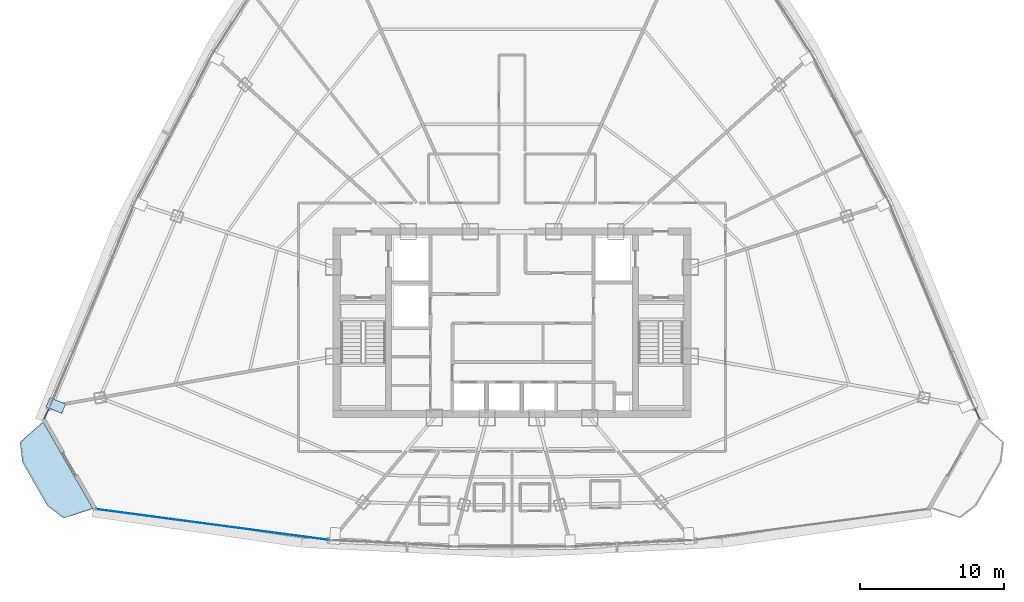
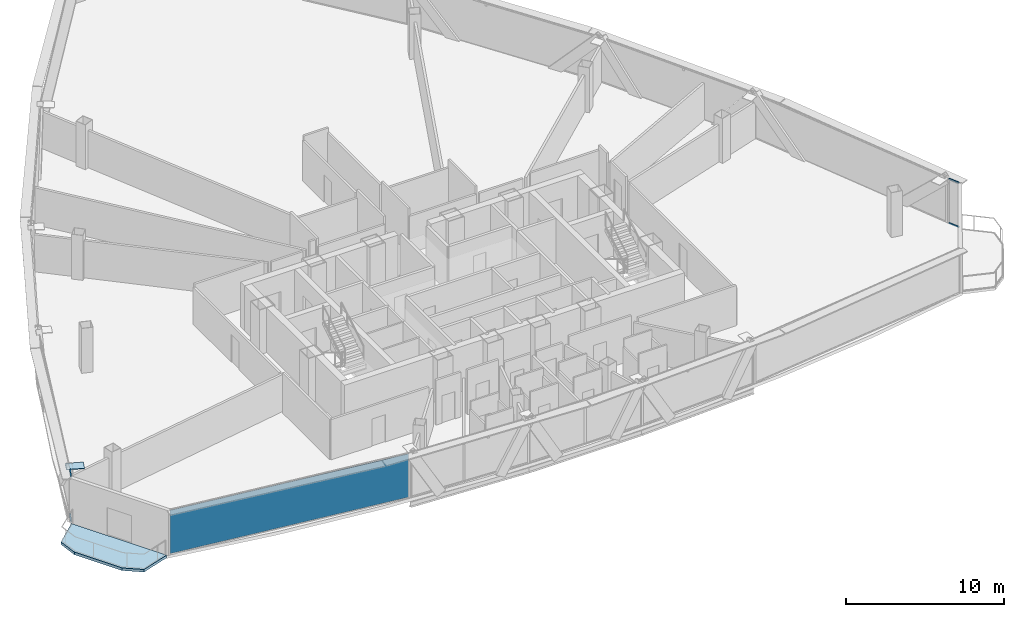
# One storey, part 29 of 39: 4 members, 2 plates, 1 slab, 3 elements without a shape of their own.
"""IFC4 building model written with IfcOpenShell, lengths in metres."""

from ifc_helpers import new_model, si_unit, direction, frame, origin, origin_2d, place, context, subcontext, project, spatial, polyline, rectangle, hollow_rectangle, outline, extrude, source, transform, mapped, material, layer, layer_set, material_profile, profile_set, type_object, element, aggregate, save


model = new_model("IFC4")

# Units and contexts
model_context = context("Model", 3, precision=1e-05, world=origin(), true_north=direction((0.0, 1.0)))
body_context = subcontext(model_context, "Body", "Model", "MODEL_VIEW")
ifc_project = project(units=[si_unit("LENGTHUNIT", "METRE"), si_unit("AREAUNIT", "SQUARE_METRE"), si_unit("VOLUMEUNIT", "CUBIC_METRE"), si_unit("PLANEANGLEUNIT", "RADIAN"), si_unit("MASSUNIT", "GRAM", prefix="KILO"), si_unit("THERMODYNAMICTEMPERATUREUNIT", "KELVIN"), si_unit("POWERUNIT", "WATT")], contexts=[model_context])

# Site, building, storey
site_placement = place(None, origin())
site = spatial("IfcSite", under=ifc_project, at=site_placement, CompositionType="ELEMENT")
building_placement = place(site_placement, origin())
building = spatial("IfcBuilding", under=site, at=building_placement, Name="Yunzhuo Pagoda Commons", CompositionType="ELEMENT")
storey_placement = place(building_placement, frame((0.0, 0.0, 285.02001953125)))
storey = spatial("IfcBuildingStorey", under=building, at=storey_placement, Name="L71", CompositionType="ELEMENT", Elevation=285.02001953125)

# Curtain wall, members
ifc_material_1 = material(Name="Anodized aluminium 6063-T6", Category="aluminium")
ifc_layer_1 = layer(ifc_material_1, 0.139892578125)
ifc_layer_set_1 = layer_set([ifc_layer_1], Name="Anodized aluminium 6063-T6")
curtain_wall_type = type_object("IfcCurtainWallType", Name="CW-HI High-Zone Ribbon Curtain Wall", PredefinedType="NOTDEFINED", material=ifc_layer_set_1)
curtain_wall_1_placement = place(storey_placement, origin())
curtain_wall_1 = element("IfcCurtainWall", 1, at=curtain_wall_1_placement, inside=storey, type_object=curtain_wall_type, Name="L71 curtain wall CW-L71-F2B1", PredefinedType="NOTDEFINED")
ifc_material_profile = material_profile(ifc_material_1, hollow_rectangle(XDim=0.054931640625, YDim=0.1201171875, WallThickness=0.00341796875, at=origin_2d()), Name="Anodized aluminium 6063-T6")
ifc_profile_set = profile_set([ifc_material_profile], Name="Anodized aluminium 6063-T6")
member_type = type_object("IfcMemberType", Name="CW-HI-T Transom RHS 120x55x3.5", PredefinedType="USERDEFINED", material=ifc_profile_set)
shared_shape_1 = source(origin(), body_context, "Body", "SweptSolid", [
    extrude(hollow_rectangle(XDim=0.054931640625, YDim=0.1201171875, WallThickness=0.00341796875, at=origin_2d()), origin(), (0.0, 0.0, 1.0), 0.802490234375),
])
member_1_placement = place(storey_placement, frame((80.54541015625, 27.180908203125, 0.027587890625), z_axis=(-0.421602795033, 0.906780614714, 0.0), x_axis=(-0.906780614714, -0.421602795033, 0.0)))
member_1 = element("IfcMember", 2, at=member_1_placement, type_object=member_type, Name="CW transom 1.1", ObjectType="TRANSOM", PredefinedType="USERDEFINED", context=body_context, shape_type="MappedRepresentation", body=[
    mapped(shared_shape_1, transform((0.0, 0.0, 0.0), scale=1.0)),
])
member_2_placement = place(storey_placement, frame((80.54541015625, 27.180908203125, 3.4423828125), z_axis=(-0.421602795033, 0.906780614714, 0.0), x_axis=(-0.906780614714, -0.421602795033, 0.0)))
member_2 = element("IfcMember", 3, at=member_2_placement, type_object=member_type, Name="CW transom 1.2", ObjectType="TRANSOM", PredefinedType="USERDEFINED", context=body_context, shape_type="MappedRepresentation", body=[
    mapped(shared_shape_1, transform((0.0, 0.0, 0.0), scale=1.0)),
])
aggregate(curtain_wall_1, [member_1, member_2])

curtain_wall_2_placement = place(storey_placement, origin())
curtain_wall_2 = element("IfcCurtainWall", 4, at=curtain_wall_2_placement, inside=storey, type_object=curtain_wall_type, Name="L71 curtain wall CW-L71-F3B5", PredefinedType="NOTDEFINED")
member_3_placement = place(storey_placement, frame((15.79296875, 27.90869140625, 0.027587890625), z_axis=(-0.421602795033, -0.906780614714, 0.0), x_axis=(0.906780614714, -0.421602795033, 0.0)))
member_3 = element("IfcMember", 5, at=member_3_placement, type_object=member_type, Name="CW transom 1.1", ObjectType="TRANSOM", PredefinedType="USERDEFINED", context=body_context, shape_type="MappedRepresentation", body=[
    mapped(shared_shape_1, transform((0.0, 0.0, 0.0), scale=1.0)),
])
member_4_placement = place(storey_placement, frame((15.79296875, 27.90869140625, 3.4423828125), z_axis=(-0.421602795033, -0.906780614714, 0.0), x_axis=(0.906780614714, -0.421602795033, 0.0)))
member_4 = element("IfcMember", 6, at=member_4_placement, type_object=member_type, Name="CW transom 1.2", ObjectType="TRANSOM", PredefinedType="USERDEFINED", context=body_context, shape_type="MappedRepresentation", body=[
    mapped(shared_shape_1, transform((0.0, 0.0, 0.0), scale=1.0)),
])
aggregate(curtain_wall_2, [member_3, member_4])

# Slab
ifc_material_2 = material(Name="Concrete C40", Category="concrete")
ifc_layer_2 = layer(ifc_material_2, 0.199951171875)
ifc_layer_set_2 = layer_set([ifc_layer_2], Name="Concrete C40")
slab_type = type_object("IfcSlabType", Name="SL-BAL Vertex Balcony Deck Slab 200", PredefinedType="FLOOR", material=ifc_layer_set_2)
slab_placement = place(storey_placement, frame((0.0, 0.0, -0.199951171875)))
element("IfcSlab", 7, at=slab_placement, inside=storey, type_object=slab_type, Name="L71 corner balcony V1", PredefinedType="FLOOR", context=body_context, shape_type="SweptSolid", body=[
    extrude(outline(polyline([(15.359619140625, 26.976806640625), (18.841796875, 20.912109375), (16.801025390625, 20.25927734375), (15.677490234375, 21.111328125), (13.936279296875, 24.1435546875), (13.766845703125, 25.54345703125), (15.359619140625, 26.976806640625)])), origin(), (0.0, 0.0, 1.0), 0.199951171875),
])

# Plate
ifc_material_3 = material(Name="Structural steel Q355B", Category="steel")
ifc_layer_3 = layer(ifc_material_3, 0.028076171875)
ifc_layer_set_3 = layer_set([ifc_layer_3], Name="Structural steel Q355B")
plate_type_1 = type_object("IfcPlateType", Name="SP-ND1 Lattice Node Cap Plate 800x500x28", PredefinedType="USERDEFINED", material=ifc_layer_set_3)
shared_shape_2 = source(origin(), body_context, "Body", "SweptSolid", [
    extrude(rectangle(XDim=0.699951171875, YDim=1.180908203125, at=origin_2d()), origin(), (0.0, 0.0, 1.0), 0.035888671875),
])
plate_1_placement = place(storey_placement, frame((16.259033203125, 28.103271484375, 3.43212890625), z_axis=(0.0, 0.0, 1.0), x_axis=(-0.383860227441, -0.923391209504, 0.0)))
element("IfcPlate", 8, at=plate_1_placement, inside=storey, type_object=plate_type_1, Name="L71 setback lattice tie plate F3.3R", ObjectType="STIFFENER_PLATE", PredefinedType="USERDEFINED", context=body_context, shape_type="MappedRepresentation", body=[
    mapped(shared_shape_2, transform((0.0, 0.0, 0.0), scale=1.0)),
])

# Curtain wall, plate
curtain_wall_3_placement = place(storey_placement, origin())
curtain_wall_3 = element("IfcCurtainWall", 9, at=curtain_wall_3_placement, inside=storey, type_object=curtain_wall_type, Name="L71 curtain wall CW-L71-F1B1", PredefinedType="NOTDEFINED")
ifc_material_4 = material(Name="Tempered low-e double glazing", Category="glass")
ifc_layer_4 = layer(ifc_material_4, 0.02587890625)
ifc_layer_set_4 = layer_set([ifc_layer_4], Name="Tempered low-e double glazing")
plate_type_2 = type_object("IfcPlateType", Name="CW-HI-P Low-E Double Glazing 26", PredefinedType="CURTAIN_PANEL", material=ifc_layer_set_4)
shared_shape_3 = source(origin(), body_context, "Body", "SweptSolid", [
    extrude(rectangle(XDim=16.37353515625, YDim=0.028076171875, at=origin_2d()), origin(), (0.0, 0.0, 1.0), 3.360107421875),
])
plate_2_placement = place(storey_placement, frame((27.181640625, 19.81396484375, 0.0546875), z_axis=(0.0, 0.0, 1.0), x_axis=(0.991341168318, -0.131311416098, 0.0)))
plate_2 = element("IfcPlate", 10, at=plate_2_placement, type_object=plate_type_2, Name="CW panel 1.1", PredefinedType="CURTAIN_PANEL", context=body_context, shape_type="MappedRepresentation", body=[
    mapped(shared_shape_3, transform((0.0, 0.0, 0.0), scale=1.0)),
])
aggregate(curtain_wall_3, [plate_2])

save(model, "model.ifc")
